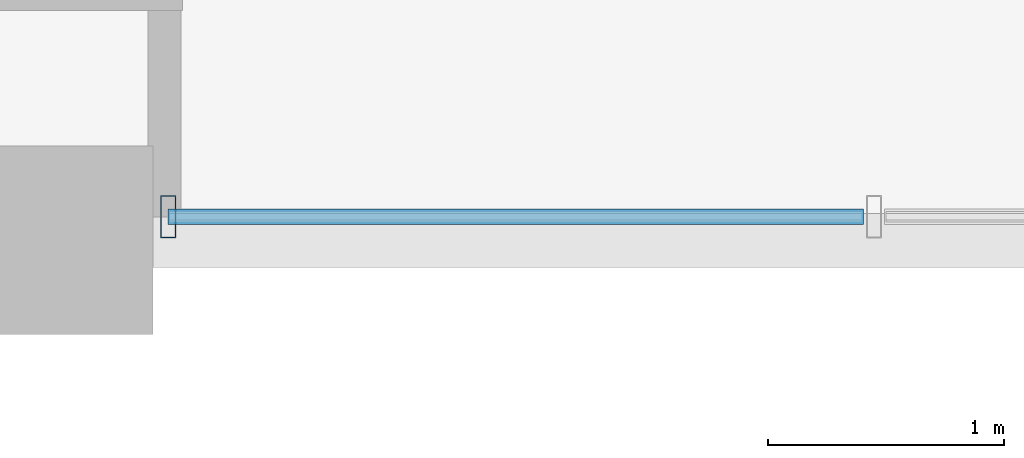
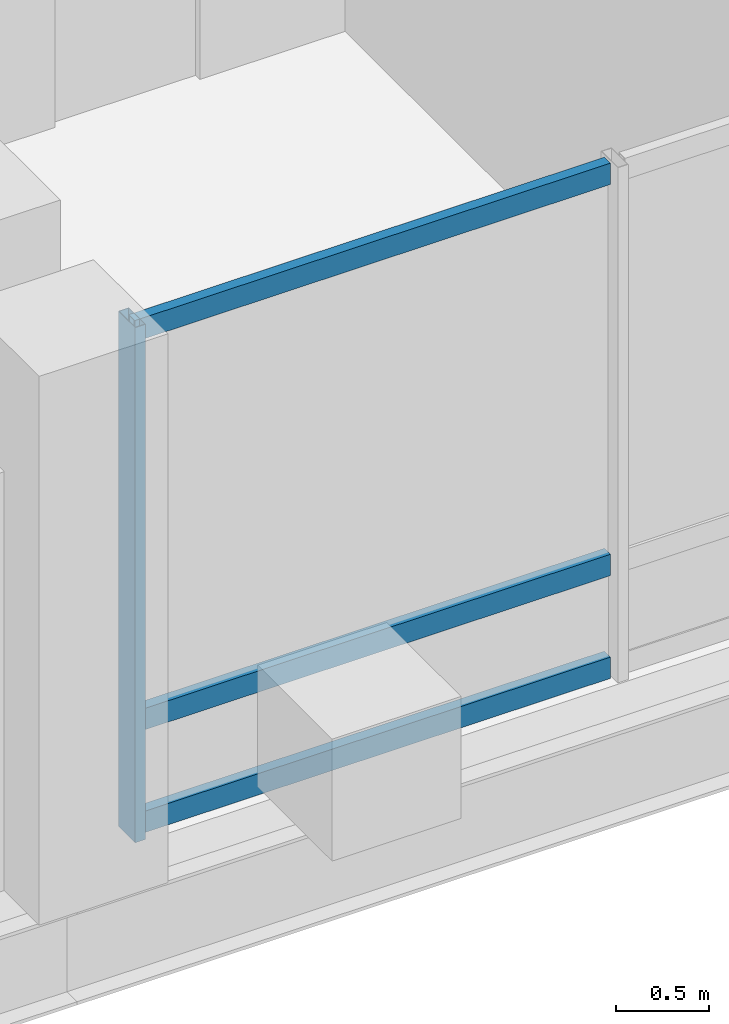
# One storey, part 2 of 24: 4 members, 1 element without a shape of its own.
"""IFC4 building model written with IfcOpenShell, lengths in metres."""

from ifc_helpers import new_model, si_unit, direction, frame, origin, origin_2d, place, context, subcontext, project, spatial, hollow_rectangle, extrude, material, layer, layer_set, material_profile, profile_set, type_object, element, aggregate, save


model = new_model("IFC4")

# Units and contexts
model_context = context("Model", 3, precision=1e-05, world=origin(), true_north=direction((0.0, 1.0)))
body_context = subcontext(model_context, "Body", "Model", "MODEL_VIEW")
ifc_project = project(units=[si_unit("LENGTHUNIT", "METRE"), si_unit("AREAUNIT", "SQUARE_METRE"), si_unit("VOLUMEUNIT", "CUBIC_METRE"), si_unit("PLANEANGLEUNIT", "RADIAN"), si_unit("MASSUNIT", "GRAM", prefix="KILO")], contexts=[model_context])

# Site, building, storey
site_placement = place(None, origin())
site = spatial("IfcSite", under=ifc_project, at=site_placement, CompositionType="ELEMENT")
building_placement = place(site_placement, origin())
building = spatial("IfcBuilding", under=site, at=building_placement, Name="Barlavira Tower and Art Museum", CompositionType="ELEMENT")
storey_placement = place(building_placement, frame((0.0, 0.0, 201.60009765625)))
storey = spatial("IfcBuildingStorey", under=building, at=storey_placement, Name="L52", CompositionType="ELEMENT", Elevation=201.60009765625)

# Curtain wall, members
ifc_material_1 = material(Name="Low-iron coastal laminated glass", Category="glass")
ifc_layer = layer(ifc_material_1, 0.199951171875, Name="Low-iron coastal laminated glass")
ifc_layer_set = layer_set([ifc_layer], Name="Low-iron coastal laminated glass")
curtain_wall_type = type_object("IfcCurtainWallType", Name="Pale-Metal Unitised Curtain Wall Zone 3", PredefinedType="NOTDEFINED", material=ifc_layer_set)
curtain_wall_placement = place(storey_placement, origin())
curtain_wall = element("IfcCurtainWall", 1, at=curtain_wall_placement, inside=storey, type_object=curtain_wall_type, Name="L52 Curtain Wall CW3-L52-S-B3", PredefinedType="NOTDEFINED")
ifc_material_2 = material(Name="Pale anodised aluminium", Category="aluminium")
ifc_material_profile_1 = material_profile(ifc_material_2, hollow_rectangle(XDim=0.06494140625, YDim=0.179931640625, WallThickness=0.00390625, at=origin_2d()), Name="ALU-MULL 65x180x4")
ifc_profile_set_1 = profile_set([ifc_material_profile_1], Name="Pale anodised aluminium")
member_type_1 = type_object("IfcMemberType", Name="Curtain Wall Pale-Metal Mullion 65x180", PredefinedType="MULLION", material=ifc_profile_set_1)
member_1_placement = place(storey_placement, frame((-6.034912109375, -21.39990234375, 0.0), z_axis=(0.0, 0.0, 1.0), x_axis=(1.0, 0.0, 0.0)))
member_1 = element("IfcMember", 2, at=member_1_placement, type_object=member_type_1, Name="CW3-L52-S-B3 Mullion 0", PredefinedType="MULLION", context=body_context, shape_type="SweptSolid", body=[
    extrude(hollow_rectangle(XDim=0.06494140625, YDim=0.179931640625, WallThickness=0.00390625, at=origin_2d()), origin(), (0.0, 0.0, 1.0), 3.3798828125),
])
ifc_material_profile_2 = material_profile(ifc_material_2, hollow_rectangle(XDim=0.06494140625, YDim=0.139892578125, WallThickness=0.00390625, at=origin_2d()), Name="ALU-TRAN 65x140x4")
ifc_profile_set_2 = profile_set([ifc_material_profile_2], Name="Pale anodised aluminium")
member_type_2 = type_object("IfcMemberType", Name="Curtain Wall Pale-Metal Transom 65x140", PredefinedType="USERDEFINED", material=ifc_profile_set_2)
member_2_placement = place(storey_placement, frame((-6.034912109375, -21.39990234375, 0.06982421875), z_axis=(1.0, 0.0, 0.0), x_axis=(0.0, 1.0, 0.0)))
member_2 = element("IfcMember", 3, at=member_2_placement, type_object=member_type_2, Name="CW3-L52-S-B3 Transom 0.1", ObjectType="TRANSOM", PredefinedType="USERDEFINED", context=body_context, shape_type="SweptSolid", body=[
    extrude(hollow_rectangle(XDim=0.06494140625, YDim=0.139892578125, WallThickness=0.00390625, at=origin_2d()), origin(), (0.0, 0.0, 1.0), 2.949951171875),
])
member_3_placement = place(storey_placement, frame((-6.034912109375, -21.39990234375, 0.743896484375), z_axis=(1.0, 0.0, 0.0), x_axis=(0.0, 1.0, 0.0)))
member_3 = element("IfcMember", 4, at=member_3_placement, type_object=member_type_2, Name="CW3-L52-S-B3 Transom 0.2", ObjectType="TRANSOM", PredefinedType="USERDEFINED", context=body_context, shape_type="SweptSolid", body=[
    extrude(hollow_rectangle(XDim=0.06494140625, YDim=0.139892578125, WallThickness=0.00390625, at=origin_2d()), origin(), (0.0, 0.0, 1.0), 2.949951171875),
])
member_4_placement = place(storey_placement, frame((-6.034912109375, -21.39990234375, 3.309814453125), z_axis=(1.0, 0.0, 0.0), x_axis=(0.0, 1.0, 0.0)))
member_4 = element("IfcMember", 5, at=member_4_placement, type_object=member_type_2, Name="CW3-L52-S-B3 Transom 0.3", ObjectType="TRANSOM", PredefinedType="USERDEFINED", context=body_context, shape_type="SweptSolid", body=[
    extrude(hollow_rectangle(XDim=0.06494140625, YDim=0.139892578125, WallThickness=0.00390625, at=origin_2d()), origin(), (0.0, 0.0, 1.0), 2.949951171875),
])
aggregate(curtain_wall, [member_1, member_2, member_3, member_4])

save(model, "model.ifc")
